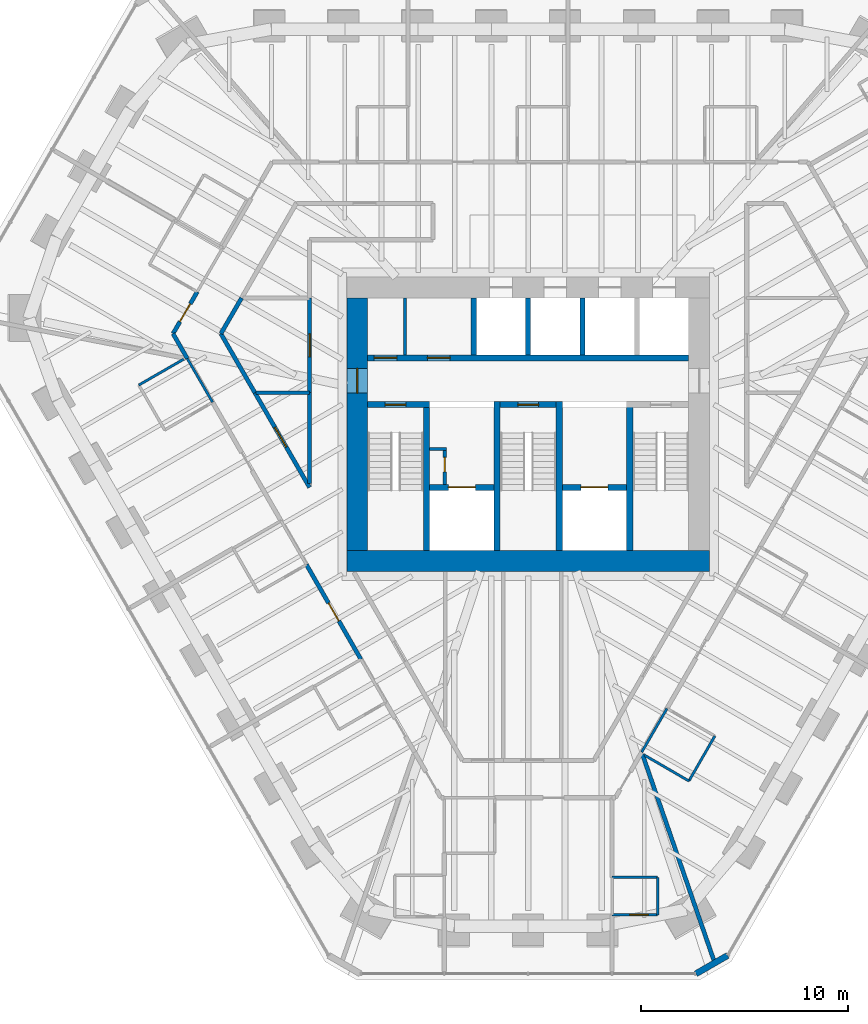
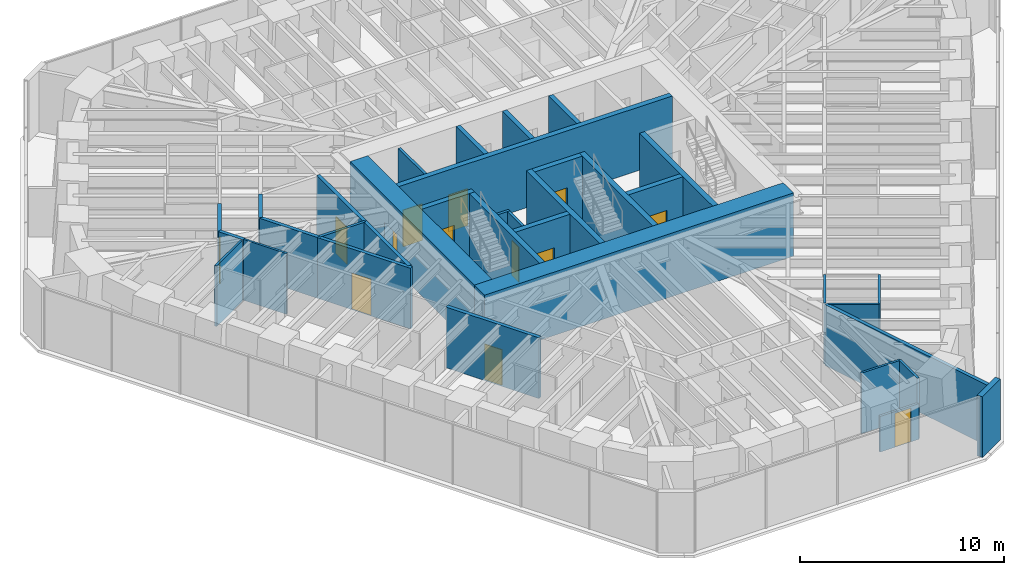
# One storey, part 12 of 16: 36 walls, 13 doors, 13 openings.
"""IFC4 building model written with IfcOpenShell, lengths in metres."""

from ifc_helpers import new_model, si_unit, direction, frame, frame_2d, origin, place, context, subcontext, project, spatial, rectangle, extrude, material, layer, layer_set, type_object, element, fill, save


model = new_model("IFC4")

# Units and contexts
model_context = context("Model", 3, precision=1e-05, world=origin(), true_north=direction((0.0, 1.0)))
body_context = subcontext(model_context, "Body", "Model", "MODEL_VIEW")
ifc_project = project(units=[si_unit("LENGTHUNIT", "METRE"), si_unit("AREAUNIT", "SQUARE_METRE"), si_unit("VOLUMEUNIT", "CUBIC_METRE"), si_unit("PLANEANGLEUNIT", "RADIAN"), si_unit("MASSUNIT", "GRAM", prefix="KILO")], contexts=[model_context])

# Site, building, storey
site_placement = place(None, origin())
site = spatial("IfcSite", under=ifc_project, at=site_placement, CompositionType="ELEMENT")
building_placement = place(site_placement, origin())
building = spatial("IfcBuilding", under=site, at=building_placement, Name="Sandreach Pilgrim Tower", CompositionType="ELEMENT")
storey_placement = place(building_placement, frame((0.0, 0.0, 244.0)))
storey = spatial("IfcBuildingStorey", under=building, at=storey_placement, Name="L61", CompositionType="ELEMENT", Elevation=244.0)

# Walls
ifc_material_1 = material(Name="Gypsum board on steel studs", Category="steel")
ifc_layer_1 = layer(ifc_material_1, 0.14990234375)
ifc_layer_set_1 = layer_set([ifc_layer_1], Name="Back of house wall 150")
wall_type_1 = type_object("IfcWallType", Name="Back of house wall 150", PredefinedType="PARTITIONING", material=ifc_layer_set_1)
wall_1_placement = place(storey_placement, frame((-10.550048828125, 1.52001953125, 0.0), z_axis=(0.0, 0.0, 1.0), x_axis=(-1.0, 0.0, 0.0)))
element("IfcWall", 1, at=wall_1_placement, inside=storey, type_object=wall_type_1, Name="Back of house wall L61-035", PredefinedType="PARTITIONING", context=body_context, shape_type="SweptSolid", body=[
    extrude(rectangle(XDim=2.5849609375, YDim=0.14990234375, at=frame_2d((1.29248046875, 0.0))), origin(), (0.0, 0.0, 1.0), 3.639892578125),
])
wall_2_placement = place(storey_placement, frame((-5.949951171875, 3.35009765625, 0.0), z_axis=(0.0, 0.0, 1.0), x_axis=(0.0, 1.0, 0.0)))
element("IfcWall", 2, at=wall_2_placement, inside=storey, type_object=wall_type_1, Name="Core room partition L61 1", PredefinedType="PARTITIONING", context=body_context, shape_type="SweptSolid", body=[
    extrude(rectangle(XDim=2.75, YDim=0.14990234375, at=frame_2d((1.375, 0.0))), origin(), (0.0, 0.0, 1.0), 3.639892578125),
])
ifc_material_2 = material(Name="Moisture-resistant gypsum board on steel studs", Category="steel")
ifc_layer_2 = layer(ifc_material_2, 0.1201171875)
ifc_layer_set_2 = layer_set([ifc_layer_2], Name="Bathroom partition 120")
wall_type_2 = type_object("IfcWallType", Name="Bathroom partition 120", PredefinedType="PARTITIONING", material=ifc_layer_set_2)
wall_3_placement = place(storey_placement, frame((-16.623779296875, 3.1376953125, 0.0), z_axis=(0.0, 0.0, 1.0), x_axis=(-0.866525185869, -0.499133351175, 0.0)))
element("IfcWall", 3, at=wall_3_placement, inside=storey, type_object=wall_type_2, Name="Bathroom partition L61-012", PredefinedType="PARTITIONING", context=body_context, shape_type="SweptSolid", body=[
    extrude(rectangle(XDim=2.5, YDim=0.1201171875, at=frame_2d((1.25, 0.0))), origin(), (0.0, 0.0, 1.0), 3.639892578125),
])
wall_4_placement = place(storey_placement, frame((-16.449951171875, 3.169921875, 0.0), z_axis=(0.0, 0.0, 1.0), x_axis=(0.500566296323, -0.865698205488, 0.0)))
element("IfcWall", 4, at=wall_4_placement, inside=storey, type_object=wall_type_2, Name="Bathroom partition L61-013", PredefinedType="PARTITIONING", context=body_context, shape_type="SweptSolid", body=[
    extrude(rectangle(XDim=2.437255859375, YDim=0.1201171875, at=frame_2d((1.21875, 0.0))), origin(), (0.0, 0.0, 1.0), 3.639892578125),
])

# Wall, opening, door
wall_5_placement = place(storey_placement, frame((4.050048828125, -23.679931640625, 0.0), z_axis=(0.0, 0.0, 1.0), x_axis=(1.0, 0.0, 0.0)))
wall_5 = element("IfcWall", 5, at=wall_5_placement, inside=storey, type_object=wall_type_2, Name="Bathroom partition L61-082", PredefinedType="PARTITIONING", context=body_context, shape_type="SweptSolid", body=[
    extrude(rectangle(XDim=2.199951171875, YDim=0.1201171875, at=frame_2d((1.10009765625, 0.0))), origin(), (0.0, 0.0, 1.0), 2.139892578125),
])
opening_1_placement = place(wall_5_placement, frame((0.85009765625, 0.0, 0.0)))
opening_1 = element("IfcOpeningElement", 6, at=opening_1_placement, cuts=wall_5, Name="Opening D09-10B", PredefinedType="OPENING", context=body_context, shape_type="SweptSolid", body=[
    extrude(rectangle(XDim=0.89990234375, YDim=2.030029296875, at=frame_2d((0.449951171875, 1.01513671875))), frame((0.0, 0.06005859375, 0.0), z_axis=(0.0, -1.0, 0.0), x_axis=(1.0, 0.0, 0.0)), (0.0, 0.0, 1.0), 0.1201171875),
])
ifc_material_3 = material(Name="Timber door, steel frame", Category="steel")
door_type_1 = type_object("IfcDoorType", Name="Bathroom door", OperationType="SINGLE_SWING_LEFT", PredefinedType="DOOR", material=ifc_material_3)
door_1_placement = place(opening_1_placement, origin())
door_1 = element("IfcDoor", 7, at=door_1_placement, inside=storey, type_object=door_type_1, Name="Door 6110B", OperationType="SINGLE_SWING_RIGHT", OverallHeight=2.030029296875, OverallWidth=0.89990234375, PredefinedType="DOOR", context=body_context, shape_type="SweptSolid", body=[
    extrude(rectangle(XDim=0.89990234375, YDim=2.030029296875, at=frame_2d((0.449951171875, 1.01513671875))), frame((0.0, 0.02490234375, 0.0), z_axis=(0.0, -1.0, 0.0), x_axis=(1.0, 0.0, 0.0)), (0.0, 0.0, 1.0), 0.050048828125),
])
fill(opening_1, door_1)

# Walls
wall_6_placement = place(storey_placement, frame((5.47998046875, -15.830078125, 0.0), z_axis=(0.0, 0.0, 1.0), x_axis=(0.501296828005, 0.865275384044, 0.0)))
element("IfcWall", 8, at=wall_6_placement, inside=storey, type_object=wall_type_2, Name="Bathroom partition L61-086", PredefinedType="PARTITIONING", context=body_context, shape_type="SweptSolid", body=[
    extrude(rectangle(XDim=2.4375, YDim=0.1201171875, at=frame_2d((1.21875, 0.0))), origin(), (0.0, 0.0, 1.0), 3.639892578125),
])
wall_7_placement = place(storey_placement, frame((5.615234375, -15.97509765625, 0.0), z_axis=(0.0, 0.0, 1.0), x_axis=(0.864873056518, -0.501990633487, 0.0)))
element("IfcWall", 9, at=wall_7_placement, inside=storey, type_object=wall_type_2, Name="Bathroom partition L61-088", PredefinedType="PARTITIONING", context=body_context, shape_type="SweptSolid", body=[
    extrude(rectangle(XDim=2.47998046875, YDim=0.1201171875, at=frame_2d((1.239990234375, 0.0))), origin(), (0.0, 0.0, 1.0), 3.639892578125),
])
wall_8_placement = place(storey_placement, frame((6.25, -23.679931640625, 0.0), z_axis=(0.0, 0.0, 1.0), x_axis=(0.0, 1.0, 0.0)))
element("IfcWall", 10, at=wall_8_placement, inside=storey, type_object=wall_type_2, Name="Bathroom partition L61-089", PredefinedType="PARTITIONING", context=body_context, shape_type="SweptSolid", body=[
    extrude(rectangle(XDim=1.809814453125, YDim=0.1201171875, at=frame_2d((0.90478515625, 0.0))), origin(), (0.0, 0.0, 1.0), 3.639892578125),
])
wall_9_placement = place(storey_placement, frame((6.25, -21.8701171875, 0.0), z_axis=(0.0, 0.0, 1.0), x_axis=(-1.0, 0.0, 0.0)))
element("IfcWall", 11, at=wall_9_placement, inside=storey, type_object=wall_type_2, Name="Bathroom partition L61-090", PredefinedType="PARTITIONING", context=body_context, shape_type="SweptSolid", body=[
    extrude(rectangle(XDim=2.199951171875, YDim=0.1201171875, at=frame_2d((1.10009765625, 0.0))), origin(), (0.0, 0.0, 1.0), 3.639892578125),
])
wall_10_placement = place(storey_placement, frame((7.760009765625, -17.219970703125, 0.0), z_axis=(0.0, 0.0, 1.0), x_axis=(0.499159685399, 0.866510016372, 0.0)))
element("IfcWall", 12, at=wall_10_placement, inside=storey, type_object=wall_type_2, Name="Bathroom partition L61-092", PredefinedType="PARTITIONING", context=body_context, shape_type="SweptSolid", body=[
    extrude(rectangle(XDim=2.504150390625, YDim=0.1201171875, at=frame_2d((1.251953125, 0.0))), origin(), (0.0, 0.0, 1.0), 3.639892578125),
])
ifc_material_4 = material(Name="Concrete 10000 psi", Category="concrete")
ifc_layer_3 = layer(ifc_material_4, 0.300048828125)
ifc_layer_set_3 = layer_set([ifc_layer_3], Name="Core inner wall 300")
wall_type_3 = type_object("IfcWallType", Name="Core inner wall 300", PredefinedType="SHEAR", material=ifc_layer_set_3)
for number, where, z_axis, x_axis, name in (
    (13, (-4.89990234375, -6.10009765625, 0.0), (0.0, 0.0, 1.0), (0.0, 1.0, 0.0), "Core wall I0 L61"),
    (14, (-1.5, -6.10009765625, 0.0), (0.0, 0.0, 1.0), (0.0, 1.0, 0.0), "Core wall I1 L61"),
    (15, (1.5, -6.10009765625, 0.0), (0.0, 0.0, 1.0), (0.0, 1.0, 0.0), "Core wall I2 L61"),
    (16, (4.89990234375, -6.10009765625, 0.0), (0.0, 0.0, 1.0), (0.0, 1.0, 0.0), "Core wall I3 L61"),
):
    element("IfcWall", number, at=place(storey_placement, frame(where, z_axis=z_axis, x_axis=x_axis)), inside=storey, type_object=wall_type_3, Name=name, PredefinedType="SHEAR", context=body_context, shape_type="SweptSolid", body=[
        extrude(rectangle(XDim=7.2001953125, YDim=0.300048828125, at=frame_2d((3.60009765625, 0.0))), origin(), (0.0, 0.0, 1.0), 3.800048828125),
    ])

# Wall, opening, door
wall_11_placement = place(storey_placement, frame((-7.75, 0.949951171875, 0.0), z_axis=(0.0, 0.0, 1.0), x_axis=(1.0, 0.0, 0.0)))
wall_11 = element("IfcWall", 17, at=wall_11_placement, inside=storey, type_object=wall_type_3, Name="Core wall SN1 L61", PredefinedType="SHEAR", context=body_context, shape_type="SweptSolid", body=[
    extrude(rectangle(XDim=3.0, YDim=0.300048828125, at=frame_2d((1.5, 0.0))), origin(), (0.0, 0.0, 1.0), 3.800048828125),
])
opening_2_placement = place(wall_11_placement, frame((0.85009765625, 0.0, 0.0)))
opening_2 = element("IfcOpeningElement", 18, at=opening_2_placement, cuts=wall_11, Name="Opening D10S-ST1", PredefinedType="OPENING", context=body_context, shape_type="SweptSolid", body=[
    extrude(rectangle(XDim=1.0, YDim=2.199951171875, at=frame_2d((0.5, 1.10009765625))), frame((0.0, 0.14990234375, 0.0), z_axis=(0.0, -1.0, 0.0), x_axis=(1.0, 0.0, 0.0)), (0.0, 0.0, 1.0), 0.300048828125),
])
ifc_material_5 = material(Name="Steel door and frame", Category="steel")
door_type_2 = type_object("IfcDoorType", Name="Stair door", OperationType="SINGLE_SWING_LEFT", PredefinedType="DOOR", material=ifc_material_5)
door_2_placement = place(opening_2_placement, origin())
door_2 = element("IfcDoor", 19, at=door_2_placement, inside=storey, type_object=door_type_2, Name="Stair door ST1 L61", OperationType="SINGLE_SWING_LEFT", OverallHeight=2.199951171875, OverallWidth=1.0, PredefinedType="DOOR", context=body_context, shape_type="SweptSolid", body=[
    extrude(rectangle(XDim=1.0, YDim=2.199951171875, at=frame_2d((0.5, 1.10009765625))), frame((0.0, 0.02490234375, 0.0), z_axis=(0.0, -1.0, 0.0), x_axis=(1.0, 0.0, 0.0)), (0.0, 0.0, 1.0), 0.050048828125),
])
fill(opening_2, door_2)

wall_12_placement = place(storey_placement, frame((-1.35009765625, 0.949951171875, 0.0), z_axis=(0.0, 0.0, 1.0), x_axis=(1.0, 0.0, 0.0)))
wall_12 = element("IfcWall", 20, at=wall_12_placement, inside=storey, type_object=wall_type_3, Name="Core wall SN3 L61", PredefinedType="SHEAR", context=body_context, shape_type="SweptSolid", body=[
    extrude(rectangle(XDim=2.7001953125, YDim=0.300048828125, at=frame_2d((1.35009765625, 0.0))), origin(), (0.0, 0.0, 1.0), 3.800048828125),
])
opening_3_placement = place(wall_12_placement, frame((0.85009765625, 0.0, 0.0)))
opening_3 = element("IfcOpeningElement", 21, at=opening_3_placement, cuts=wall_12, Name="Opening D10S-ST3", PredefinedType="OPENING", context=body_context, shape_type="SweptSolid", body=[
    extrude(rectangle(XDim=1.0, YDim=2.199951171875, at=frame_2d((0.5, 1.10009765625))), frame((0.0, 0.14990234375, 0.0), z_axis=(0.0, -1.0, 0.0), x_axis=(1.0, 0.0, 0.0)), (0.0, 0.0, 1.0), 0.300048828125),
])
door_3_placement = place(opening_3_placement, origin())
door_3 = element("IfcDoor", 22, at=door_3_placement, inside=storey, type_object=door_type_2, Name="Stair door ST3 L61", OperationType="SINGLE_SWING_LEFT", OverallHeight=2.199951171875, OverallWidth=1.0, PredefinedType="DOOR", context=body_context, shape_type="SweptSolid", body=[
    extrude(rectangle(XDim=1.0, YDim=2.199951171875, at=frame_2d((0.5, 1.10009765625))), frame((0.0, 0.02490234375, 0.0), z_axis=(0.0, -1.0, 0.0), x_axis=(1.0, 0.0, 0.0)), (0.0, 0.0, 1.0), 0.050048828125),
])
fill(opening_3, door_3)

wall_13_placement = place(storey_placement, frame((-4.75, -3.050048828125, 0.0), z_axis=(0.0, 0.0, 1.0), x_axis=(1.0, 0.0, 0.0)))
wall_13 = element("IfcWall", 23, at=wall_13_placement, inside=storey, type_object=wall_type_3, Name="Core wall FL1 L61", PredefinedType="SHEAR", context=body_context, shape_type="SweptSolid", body=[
    extrude(rectangle(XDim=3.10009765625, YDim=0.300048828125, at=frame_2d((1.550048828125, 0.0))), origin(), (0.0, 0.0, 1.0), 3.800048828125),
])
opening_4_placement = place(wall_13_placement, frame((0.89990234375, 0.0, 0.0)))
opening_4 = element("IfcOpeningElement", 24, at=opening_4_placement, cuts=wall_13, Name="Opening LD13", PredefinedType="OPENING", context=body_context, shape_type="SweptSolid", body=[
    extrude(rectangle(XDim=1.300048828125, YDim=2.10009765625, at=frame_2d((0.64990234375, 1.050048828125))), frame((0.0, 0.14990234375, 0.0), z_axis=(0.0, -1.0, 0.0), x_axis=(1.0, 0.0, 0.0)), (0.0, 0.0, 1.0), 0.300048828125),
])
ifc_material_6 = material(Name="Steel door and frame", Category="steel")
door_type_3 = type_object("IfcDoorType", Name="Fire service lift landing door", OperationType="DOUBLE_DOOR_SLIDING", PredefinedType="DOOR", material=ifc_material_6)
door_4_placement = place(opening_4_placement, origin())
door_4 = element("IfcDoor", 25, at=door_4_placement, inside=storey, type_object=door_type_3, Name="Lift landing door FS1 L61", OperationType="DOUBLE_DOOR_SLIDING", OverallHeight=2.10009765625, OverallWidth=1.300048828125, PredefinedType="DOOR", context=body_context, shape_type="SweptSolid", body=[
    extrude(rectangle(XDim=1.300048828125, YDim=2.10009765625, at=frame_2d((0.64990234375, 1.050048828125))), frame((0.0, 0.02490234375, 0.0), z_axis=(0.0, -1.0, 0.0), x_axis=(1.0, 0.0, 0.0)), (0.0, 0.0, 1.0), 0.050048828125),
])
fill(opening_4, door_4)

wall_14_placement = place(storey_placement, frame((1.64990234375, -3.050048828125, 0.0), z_axis=(0.0, 0.0, 1.0), x_axis=(1.0, 0.0, 0.0)))
wall_14 = element("IfcWall", 26, at=wall_14_placement, inside=storey, type_object=wall_type_3, Name="Core wall FL2 L61", PredefinedType="SHEAR", context=body_context, shape_type="SweptSolid", body=[
    extrude(rectangle(XDim=3.10009765625, YDim=0.300048828125, at=frame_2d((1.550048828125, 0.0))), origin(), (0.0, 0.0, 1.0), 3.800048828125),
])
opening_5_placement = place(wall_14_placement, frame((0.89990234375, 0.0, 0.0)))
opening_5 = element("IfcOpeningElement", 27, at=opening_5_placement, cuts=wall_14, Name="Opening LD13", PredefinedType="OPENING", context=body_context, shape_type="SweptSolid", body=[
    extrude(rectangle(XDim=1.300048828125, YDim=2.10009765625, at=frame_2d((0.64990234375, 1.050048828125))), frame((0.0, 0.14990234375, 0.0), z_axis=(0.0, -1.0, 0.0), x_axis=(1.0, 0.0, 0.0)), (0.0, 0.0, 1.0), 0.300048828125),
])
door_5_placement = place(opening_5_placement, origin())
door_5 = element("IfcDoor", 28, at=door_5_placement, inside=storey, type_object=door_type_3, Name="Lift landing door FS2 L61", OperationType="DOUBLE_DOOR_SLIDING", OverallHeight=2.10009765625, OverallWidth=1.300048828125, PredefinedType="DOOR", context=body_context, shape_type="SweptSolid", body=[
    extrude(rectangle(XDim=1.300048828125, YDim=2.10009765625, at=frame_2d((0.64990234375, 1.050048828125))), frame((0.0, 0.02490234375, 0.0), z_axis=(0.0, -1.0, 0.0), x_axis=(1.0, 0.0, 0.0)), (0.0, 0.0, 1.0), 0.050048828125),
])
fill(opening_5, door_5)

# Wall, openings, doors
wall_15_placement = place(storey_placement, frame((-7.75, 3.199951171875, 0.0), z_axis=(0.0, 0.0, 1.0), x_axis=(1.0, 0.0, 0.0)))
wall_15 = element("IfcWall", 29, at=wall_15_placement, inside=storey, type_object=wall_type_3, Name="Core wall PN L61", PredefinedType="SHEAR", context=body_context, shape_type="SweptSolid", body=[
    extrude(rectangle(XDim=15.5, YDim=0.300048828125, at=frame_2d((7.75, 0.0))), origin(), (0.0, 0.0, 1.0), 3.800048828125),
])
opening_6_placement = place(wall_15_placement, frame((0.3125, 0.0, 0.0)))
opening_6 = element("IfcOpeningElement", 30, at=opening_6_placement, cuts=wall_15, Name="Opening D11L", PredefinedType="OPENING", context=body_context, shape_type="SweptSolid", body=[
    extrude(rectangle(XDim=1.10009765625, YDim=2.199951171875, at=frame_2d((0.550048828125, 1.10009765625))), frame((0.0, 0.14990234375, 0.0), z_axis=(0.0, -1.0, 0.0), x_axis=(1.0, 0.0, 0.0)), (0.0, 0.0, 1.0), 0.300048828125),
])
opening_7_placement = place(wall_15_placement, frame((2.887451171875, 0.0, 0.0)))
opening_7 = element("IfcOpeningElement", 31, at=opening_7_placement, cuts=wall_15, Name="Opening D11L", PredefinedType="OPENING", context=body_context, shape_type="SweptSolid", body=[
    extrude(rectangle(XDim=1.10009765625, YDim=2.199951171875, at=frame_2d((0.550048828125, 1.10009765625))), frame((0.0, 0.14990234375, 0.0), z_axis=(0.0, -1.0, 0.0), x_axis=(1.0, 0.0, 0.0)), (0.0, 0.0, 1.0), 0.300048828125),
])
ifc_material_7 = material(Name="Steel door and frame, smoke seals", Category="steel")
door_type_4 = type_object("IfcDoorType", Name="Core room door", OperationType="SINGLE_SWING_LEFT", PredefinedType="DOOR", material=ifc_material_7)
door_6_placement = place(opening_6_placement, origin())
door_6 = element("IfcDoor", 32, at=door_6_placement, inside=storey, type_object=door_type_4, Name="Door linen and housekeeping store 61K1", OperationType="SINGLE_SWING_LEFT", OverallHeight=2.199951171875, OverallWidth=1.10009765625, PredefinedType="DOOR", context=body_context, shape_type="SweptSolid", body=[
    extrude(rectangle(XDim=1.10009765625, YDim=2.199951171875, at=frame_2d((0.550048828125, 1.10009765625))), frame((0.0, 0.02490234375, 0.0), z_axis=(0.0, -1.0, 0.0), x_axis=(1.0, 0.0, 0.0)), (0.0, 0.0, 1.0), 0.050048828125),
])
fill(opening_6, door_6)
door_7_placement = place(opening_7_placement, origin())
door_7 = element("IfcDoor", 33, at=door_7_placement, inside=storey, type_object=door_type_4, Name="Door cleaners store 61K2", OperationType="SINGLE_SWING_LEFT", OverallHeight=2.199951171875, OverallWidth=1.10009765625, PredefinedType="DOOR", context=body_context, shape_type="SweptSolid", body=[
    extrude(rectangle(XDim=1.10009765625, YDim=2.199951171875, at=frame_2d((0.550048828125, 1.10009765625))), frame((0.0, 0.02490234375, 0.0), z_axis=(0.0, -1.0, 0.0), x_axis=(1.0, 0.0, 0.0)), (0.0, 0.0, 1.0), 0.050048828125),
])
fill(opening_7, door_7)

# Wall
ifc_material_8 = material(Name="Concrete 10000 psi", Category="concrete")
ifc_layer_4 = layer(ifc_material_8, 1.0)
ifc_layer_set_4 = layer_set([ifc_layer_4], Name="Core wall 1000")
wall_type_4 = type_object("IfcWallType", Name="Core wall 1000", PredefinedType="SHEAR", material=ifc_layer_set_4)
wall_16_placement = place(storey_placement, frame((-8.75, -6.60009765625, 0.0), z_axis=(0.0, 0.0, 1.0), x_axis=(1.0, 0.0, 0.0)))
element("IfcWall", 34, at=wall_16_placement, inside=storey, type_object=wall_type_4, Name="Core wall S L61", PredefinedType="SHEAR", context=body_context, shape_type="SweptSolid", body=[
    extrude(rectangle(XDim=17.5, YDim=1.0, at=frame_2d((8.75, 0.0))), origin(), (0.0, 0.0, 1.0), 3.800048828125),
])

# Wall, opening, door
wall_17_placement = place(storey_placement, frame((-8.25, -6.10009765625, 0.0), z_axis=(0.0, 0.0, 1.0), x_axis=(0.0, 1.0, 0.0)))
wall_17 = element("IfcWall", 35, at=wall_17_placement, inside=storey, type_object=wall_type_4, Name="Core wall W L61", PredefinedType="SHEAR", context=body_context, shape_type="SweptSolid", body=[
    extrude(rectangle(XDim=12.2001953125, YDim=1.0, at=frame_2d((6.10009765625, 0.0))), origin(), (0.0, 0.0, 1.0), 3.800048828125),
])
opening_8_placement = place(wall_17_placement, frame((7.60009765625, 0.0, 0.0)))
opening_8 = element("IfcOpeningElement", 36, at=opening_8_placement, cuts=wall_17, Name="Opening D12F-W", PredefinedType="OPENING", context=body_context, shape_type="SweptSolid", body=[
    extrude(rectangle(XDim=1.199951171875, YDim=2.199951171875, at=frame_2d((0.60009765625, 1.10009765625))), frame((0.0, 0.5, 0.0), z_axis=(0.0, -1.0, 0.0), x_axis=(1.0, 0.0, 0.0)), (0.0, 0.0, 1.0), 1.0),
])
ifc_material_9 = material(Name="Steel door and frame", Category="steel")
door_type_5 = type_object("IfcDoorType", Name="Fire lobby door", OperationType="SINGLE_SWING_LEFT", PredefinedType="DOOR", material=ifc_material_9)
door_8_placement = place(opening_8_placement, origin())
door_8 = element("IfcDoor", 37, at=door_8_placement, inside=storey, type_object=door_type_5, Name="Fire service lobby door W L61", OperationType="SINGLE_SWING_RIGHT", OverallHeight=2.199951171875, OverallWidth=1.199951171875, PredefinedType="DOOR", context=body_context, shape_type="SweptSolid", body=[
    extrude(rectangle(XDim=1.199951171875, YDim=2.199951171875, at=frame_2d((0.60009765625, 1.10009765625))), frame((0.0, 0.02490234375, 0.0), z_axis=(0.0, -1.0, 0.0), x_axis=(1.0, 0.0, 0.0)), (0.0, 0.0, 1.0), 0.050048828125),
])
fill(opening_8, door_8)

# Wall
ifc_material_10 = material(Name="Gypsum board on steel studs, two layers each side", Category="steel")
ifc_layer_5 = layer(ifc_material_10, 0.199951171875)
ifc_layer_set_5 = layer_set([ifc_layer_5], Name="Corridor wall 200")
wall_type_5 = type_object("IfcWallType", Name="Corridor wall 200", PredefinedType="PARTITIONING", material=ifc_layer_set_5)
wall_18_placement = place(storey_placement, frame((-17.139892578125, 4.3701171875, 0.0), z_axis=(0.0, 0.0, 1.0), x_axis=(0.498378346744, -0.866959643522, 0.0)))
element("IfcWall", 38, at=wall_18_placement, inside=storey, type_object=wall_type_5, Name="Corridor wall L61-007", PredefinedType="PARTITIONING", context=body_context, shape_type="SweptSolid", body=[
    extrude(rectangle(XDim=1.38427734375, YDim=0.199951171875, at=frame_2d((0.692138671875, 0.0))), origin(), (0.0, 0.0, 1.0), 3.639892578125),
])

# Wall, opening, door
wall_19_placement = place(storey_placement, frame((-17.139892578125, 4.3701171875, 0.0), z_axis=(0.0, 0.0, 1.0), x_axis=(0.501176435338, 0.865345122285, 0.0)))
wall_19 = element("IfcWall", 39, at=wall_19_placement, inside=storey, type_object=wall_type_5, Name="Corridor wall L61-008", PredefinedType="PARTITIONING", context=body_context, shape_type="SweptSolid", body=[
    extrude(rectangle(XDim=2.33447265625, YDim=0.199951171875, at=frame_2d((1.167236328125, 0.0))), origin(), (0.0, 0.0, 1.0), 3.639892578125),
])
opening_9_placement = place(wall_19_placement, frame((0.667236328125, 0.0, 0.0)))
opening_9 = element("IfcOpeningElement", 40, at=opening_9_placement, cuts=wall_19, Name="Opening D10-16", PredefinedType="OPENING", context=body_context, shape_type="SweptSolid", body=[
    extrude(rectangle(XDim=1.0, YDim=2.1298828125, at=frame_2d((0.5, 1.06494140625))), frame((0.0, 0.10009765625, 0.0), z_axis=(0.0, -1.0, 0.0), x_axis=(1.0, 0.0, 0.0)), (0.0, 0.0, 1.0), 0.199951171875),
])
ifc_material_11 = material(Name="Steel door and frame", Category="steel")
door_type_6 = type_object("IfcDoorType", Name="Guest room entry door", OperationType="SINGLE_SWING_LEFT", PredefinedType="DOOR", material=ifc_material_11)
door_9_placement = place(opening_9_placement, origin())
door_9 = element("IfcDoor", 41, at=door_9_placement, inside=storey, type_object=door_type_6, Name="Door 6116", OperationType="SINGLE_SWING_LEFT", OverallHeight=2.1298828125, OverallWidth=1.0, PredefinedType="DOOR", context=body_context, shape_type="SweptSolid", body=[
    extrude(rectangle(XDim=1.0, YDim=2.1298828125, at=frame_2d((0.5, 1.06494140625))), frame((0.0, 0.02490234375, 0.0), z_axis=(0.0, -1.0, 0.0), x_axis=(1.0, 0.0, 0.0)), (0.0, 0.0, 1.0), 0.050048828125),
])
fill(opening_9, door_9)

# Walls
wall_20_placement = place(storey_placement, frame((-14.830078125, 4.3701171875, 0.0), z_axis=(0.0, 0.0, 1.0), x_axis=(0.502626855825, 0.864503466623, 0.0)))
element("IfcWall", 42, at=wall_20_placement, inside=storey, type_object=wall_type_5, Name="Corridor wall L61-019", PredefinedType="PARTITIONING", context=body_context, shape_type="SweptSolid", body=[
    extrude(rectangle(XDim=1.989501953125, YDim=0.199951171875, at=frame_2d((0.99462890625, 0.0))), origin(), (0.0, 0.0, 1.0), 3.639892578125),
])
wall_21_placement = place(storey_placement, frame((-13.18994140625, 1.52001953125, 0.0), z_axis=(0.0, 0.0, 1.0), x_axis=(-0.498775186059, 0.866731396554, 0.0)))
element("IfcWall", 43, at=wall_21_placement, inside=storey, type_object=wall_type_5, Name="Corridor wall L61-027", PredefinedType="PARTITIONING", context=body_context, shape_type="SweptSolid", body=[
    extrude(rectangle(XDim=3.288330078125, YDim=0.199951171875, at=frame_2d((1.64404296875, 0.0))), origin(), (0.0, 0.0, 1.0), 3.639892578125),
])

# Wall, opening, door
wall_22_placement = place(storey_placement, frame((-10.699951171875, -6.780029296875, 0.0), z_axis=(0.0, 0.0, 1.0), x_axis=(0.49876948316, -0.866734678358, 0.0)))
wall_22 = element("IfcWall", 44, at=wall_22_placement, inside=storey, type_object=wall_type_5, Name="Corridor wall L61-033", PredefinedType="PARTITIONING", context=body_context, shape_type="SweptSolid", body=[
    extrude(rectangle(XDim=5.272705078125, YDim=0.199951171875, at=frame_2d((2.63623046875, 0.0))), origin(), (0.0, 0.0, 1.0), 3.639892578125),
])
opening_10_placement = place(wall_22_placement, frame((2.136474609375, 0.0, 0.0)))
opening_10 = element("IfcOpeningElement", 45, at=opening_10_placement, cuts=wall_22, Name="Opening D10-14", PredefinedType="OPENING", context=body_context, shape_type="SweptSolid", body=[
    extrude(rectangle(XDim=1.0, YDim=2.1298828125, at=frame_2d((0.5, 1.06494140625))), frame((0.0, 0.10009765625, 0.0), z_axis=(0.0, -1.0, 0.0), x_axis=(1.0, 0.0, 0.0)), (0.0, 0.0, 1.0), 0.199951171875),
])
door_10_placement = place(opening_10_placement, origin())
door_10 = element("IfcDoor", 46, at=door_10_placement, inside=storey, type_object=door_type_6, Name="Door 6114", OperationType="SINGLE_SWING_LEFT", OverallHeight=2.1298828125, OverallWidth=1.0, PredefinedType="DOOR", context=body_context, shape_type="SweptSolid", body=[
    extrude(rectangle(XDim=1.0, YDim=2.1298828125, at=frame_2d((0.5, 1.06494140625))), frame((0.0, 0.02490234375, 0.0), z_axis=(0.0, -1.0, 0.0), x_axis=(1.0, 0.0, 0.0)), (0.0, 0.0, 1.0), 0.050048828125),
])
fill(opening_10, door_10)

wall_23_placement = place(storey_placement, frame((-10.550048828125, -3.050048828125, 0.0), z_axis=(0.0, 0.0, 1.0), x_axis=(-0.500193590286, 0.865913605527, 0.0)))
wall_23 = element("IfcWall", 47, at=wall_23_placement, inside=storey, type_object=wall_type_5, Name="Corridor wall L61-034", PredefinedType="PARTITIONING", context=body_context, shape_type="SweptSolid", body=[
    extrude(rectangle(XDim=5.27783203125, YDim=0.199951171875, at=frame_2d((2.638916015625, 0.0))), origin(), (0.0, 0.0, 1.0), 3.639892578125),
])
opening_11_placement = place(wall_23_placement, frame((2.25, 0.0, 0.0)))
opening_11 = element("IfcOpeningElement", 48, at=opening_11_placement, cuts=wall_23, Name="Opening D11H-M02", PredefinedType="OPENING", context=body_context, shape_type="SweptSolid", body=[
    extrude(rectangle(XDim=1.10009765625, YDim=2.199951171875, at=frame_2d((0.550048828125, 1.10009765625))), frame((0.0, 0.10009765625, 0.0), z_axis=(0.0, -1.0, 0.0), x_axis=(1.0, 0.0, 0.0)), (0.0, 0.0, 1.0), 0.199951171875),
])
ifc_material_12 = material(Name="Steel door and frame", Category="steel")
door_type_7 = type_object("IfcDoorType", Name="Back of house door", OperationType="SINGLE_SWING_LEFT", PredefinedType="DOOR", material=ifc_material_12)
door_11_placement = place(opening_11_placement, origin())
door_11 = element("IfcDoor", 49, at=door_11_placement, inside=storey, type_object=door_type_7, Name="Door 61M02", OperationType="SINGLE_SWING_RIGHT", OverallHeight=2.199951171875, OverallWidth=1.10009765625, PredefinedType="DOOR", context=body_context, shape_type="SweptSolid", body=[
    extrude(rectangle(XDim=1.10009765625, YDim=2.199951171875, at=frame_2d((0.550048828125, 1.10009765625))), frame((0.0, 0.02490234375, 0.0), z_axis=(0.0, -1.0, 0.0), x_axis=(1.0, 0.0, 0.0)), (0.0, 0.0, 1.0), 0.050048828125),
])
fill(opening_11, door_11)

# Wall
wall_24_placement = place(storey_placement, frame((-10.550048828125, 1.52001953125, 0.0), z_axis=(0.0, 0.0, 1.0), x_axis=(0.0, -1.0, 0.0)))
element("IfcWall", 50, at=wall_24_placement, inside=storey, type_object=wall_type_5, Name="Corridor wall L61-036", PredefinedType="PARTITIONING", context=body_context, shape_type="SweptSolid", body=[
    extrude(rectangle(XDim=4.375, YDim=0.199951171875, at=frame_2d((2.1875, 0.0))), origin(), (0.0, 0.0, 1.0), 3.639892578125),
])

# Wall, opening, door
wall_25_placement = place(storey_placement, frame((-10.550048828125, 6.090087890625, 0.0), z_axis=(0.0, 0.0, 1.0), x_axis=(0.0, -1.0, 0.0)))
wall_25 = element("IfcWall", 51, at=wall_25_placement, inside=storey, type_object=wall_type_5, Name="Corridor wall L61-037", PredefinedType="PARTITIONING", context=body_context, shape_type="SweptSolid", body=[
    extrude(rectangle(XDim=4.570068359375, YDim=0.199951171875, at=frame_2d((2.28515625, 0.0))), origin(), (0.0, 0.0, 1.0), 3.639892578125),
])
opening_12_placement = place(wall_25_placement, frame((1.735107421875, 0.0, 0.0)))
opening_12 = element("IfcOpeningElement", 52, at=opening_12_placement, cuts=wall_25, Name="Opening D11H-M01", PredefinedType="OPENING", context=body_context, shape_type="SweptSolid", body=[
    extrude(rectangle(XDim=1.10009765625, YDim=2.199951171875, at=frame_2d((0.550048828125, 1.10009765625))), frame((0.0, 0.10009765625, 0.0), z_axis=(0.0, -1.0, 0.0), x_axis=(1.0, 0.0, 0.0)), (0.0, 0.0, 1.0), 0.199951171875),
])
door_12_placement = place(opening_12_placement, origin())
door_12 = element("IfcDoor", 53, at=door_12_placement, inside=storey, type_object=door_type_7, Name="Door 61M01", OperationType="SINGLE_SWING_LEFT", OverallHeight=2.199951171875, OverallWidth=1.10009765625, PredefinedType="DOOR", context=body_context, shape_type="SweptSolid", body=[
    extrude(rectangle(XDim=1.10009765625, YDim=2.199951171875, at=frame_2d((0.550048828125, 1.10009765625))), frame((0.0, 0.02490234375, 0.0), z_axis=(0.0, -1.0, 0.0), x_axis=(1.0, 0.0, 0.0)), (0.0, 0.0, 1.0), 0.050048828125),
])
fill(opening_12, door_12)

# Wall
ifc_material_13 = material(Name="Double steel stud acoustic wall, gypsum board", Category="steel")
ifc_layer_6 = layer(ifc_material_13, 0.199951171875)
ifc_layer_set_6 = layer_set([ifc_layer_6], Name="Party wall 200")
wall_type_6 = type_object("IfcWallType", Name="Party wall 200", PredefinedType="PARTITIONING", material=ifc_layer_set_6)
wall_26_placement = place(storey_placement, frame((5.515380859375, -15.93212890625, 0.0), z_axis=(0.0, 0.0, 1.0), x_axis=(0.327594697431, -0.944818349851, 0.0)))
element("IfcWall", 54, at=wall_26_placement, inside=storey, type_object=wall_type_6, Name="Party wall L61-087", PredefinedType="PARTITIONING", context=body_context, shape_type="SweptSolid", body=[
    extrude(rectangle(XDim=10.668212890625, YDim=0.199951171875, at=frame_2d((5.333984375, 0.0))), origin(), (0.0, 0.0, 1.0), 3.639892578125),
])

# Wall, opening, door
ifc_material_14 = material(Name="Gypsum shaft wall on steel studs, shaft liner board", Category="steel")
ifc_layer_7 = layer(ifc_material_14, 0.14990234375)
ifc_layer_set_7 = layer_set([ifc_layer_7], Name="Riser shaft wall 150")
wall_type_7 = type_object("IfcWallType", Name="Riser shaft wall 150", PredefinedType="PARTITIONING", material=ifc_layer_set_7)
wall_27_placement = place(storey_placement, frame((-4.02490234375, -2.89990234375, 0.0), z_axis=(0.0, 0.0, 1.0), x_axis=(0.0, 1.0, 0.0)))
wall_27 = element("IfcWall", 55, at=wall_27_placement, inside=storey, type_object=wall_type_7, Name="Riser partition L61 side", PredefinedType="PARTITIONING", context=body_context, shape_type="SweptSolid", body=[
    extrude(rectangle(XDim=1.77490234375, YDim=0.14990234375, at=frame_2d((0.887451171875, 0.0))), origin(), (0.0, 0.0, 1.0), 3.639892578125),
])
opening_13_placement = place(wall_27_placement, frame((0.60009765625, 0.0, 0.0)))
opening_13 = element("IfcOpeningElement", 56, at=opening_13_placement, cuts=wall_27, Name="Opening D07R", PredefinedType="OPENING", context=body_context, shape_type="SweptSolid", body=[
    extrude(rectangle(XDim=0.699951171875, YDim=2.10009765625, at=frame_2d((0.35009765625, 1.050048828125))), frame((0.0, 0.074951171875, 0.0), z_axis=(0.0, -1.0, 0.0), x_axis=(1.0, 0.0, 0.0)), (0.0, 0.0, 1.0), 0.14990234375),
])
ifc_material_15 = material(Name="Steel door and frame, smoke seals", Category="steel")
door_type_8 = type_object("IfcDoorType", Name="Riser access door", OperationType="SINGLE_SWING_RIGHT", PredefinedType="DOOR", material=ifc_material_15)
door_13_placement = place(opening_13_placement, origin())
door_13 = element("IfcDoor", 57, at=door_13_placement, inside=storey, type_object=door_type_8, Name="Door riser 61ER", OperationType="SINGLE_SWING_RIGHT", OverallHeight=2.10009765625, OverallWidth=0.699951171875, PredefinedType="DOOR", context=body_context, shape_type="SweptSolid", body=[
    extrude(rectangle(XDim=0.699951171875, YDim=2.10009765625, at=frame_2d((0.35009765625, 1.050048828125))), frame((0.0, 0.02490234375, 0.0), z_axis=(0.0, -1.0, 0.0), x_axis=(1.0, 0.0, 0.0)), (0.0, 0.0, 1.0), 0.050048828125),
])
fill(opening_13, door_13)

# Walls
wall_28_placement = place(storey_placement, frame((-4.75, -1.199951171875, 0.0), z_axis=(0.0, 0.0, 1.0), x_axis=(1.0, 0.0, 0.0)))
element("IfcWall", 58, at=wall_28_placement, inside=storey, type_object=wall_type_7, Name="Riser partition L61 front", PredefinedType="PARTITIONING", context=body_context, shape_type="SweptSolid", body=[
    extrude(rectangle(XDim=0.800048828125, YDim=0.14990234375, at=frame_2d((0.39990234375, 0.0))), origin(), (0.0, 0.0, 1.0), 3.639892578125),
])
ifc_material_16 = material(Name="Gypsum shaft wall on steel studs, two layers of shaft liner board", Category="steel")
ifc_layer_8 = layer(ifc_material_16, 0.25)
ifc_layer_set_8 = layer_set([ifc_layer_8], Name="Shaft partition 250")
wall_type_8 = type_object("IfcWallType", Name="Shaft partition 250", PredefinedType="PARTITIONING", material=ifc_layer_set_8)
for number, where, z_axis, x_axis, name in (
    (59, (-2.625, 3.35009765625, 0.0), (0.0, 0.0, 1.0), (0.0, 1.0, 0.0), "Shaft partition NS1 L61"),
    (60, (0.0, 3.35009765625, 0.0), (0.0, 0.0, 1.0), (0.0, 1.0, 0.0), "Shaft partition NS2 L61"),
    (61, (2.625, 3.35009765625, 0.0), (0.0, 0.0, 1.0), (0.0, 1.0, 0.0), "Shaft partition NS3 L61"),
):
    element("IfcWall", number, at=place(storey_placement, frame(where, z_axis=z_axis, x_axis=x_axis)), inside=storey, type_object=wall_type_8, Name=name, PredefinedType="PARTITIONING", context=body_context, shape_type="SweptSolid", body=[
        extrude(rectangle(XDim=2.75, YDim=0.25, at=frame_2d((1.375, 0.0))), origin(), (0.0, 0.0, 1.0), 3.800048828125),
    ])
ifc_material_17 = material(Name="Terracotta rainscreen on concrete", Category="masonry")
ifc_layer_9 = layer(ifc_material_17, 0.300048828125)
ifc_layer_set_9 = layer_set([ifc_layer_9], Name="Terracotta chamfer pier")
wall_type_9 = type_object("IfcWallType", Name="Terracotta chamfer pier", PredefinedType="SOLIDWALL", material=ifc_layer_set_9)
wall_29_placement = place(storey_placement, frame((9.63037109375, -25.64013671875, 0.0), z_axis=(0.0, 0.0, 1.0), x_axis=(-0.866036293601, -0.499981137809, 0.0)))
element("IfcWall", 62, at=wall_29_placement, inside=storey, type_object=wall_type_9, Name="Chamfer pier L61 SE", PredefinedType="SOLIDWALL", context=body_context, shape_type="SweptSolid", body=[
    extrude(rectangle(XDim=1.77001953125, YDim=0.300048828125, at=frame_2d((0.885009765625, 0.0))), origin(), (0.0, 0.0, 1.0), 3.639892578125),
])

save(model, "model.ifc")
